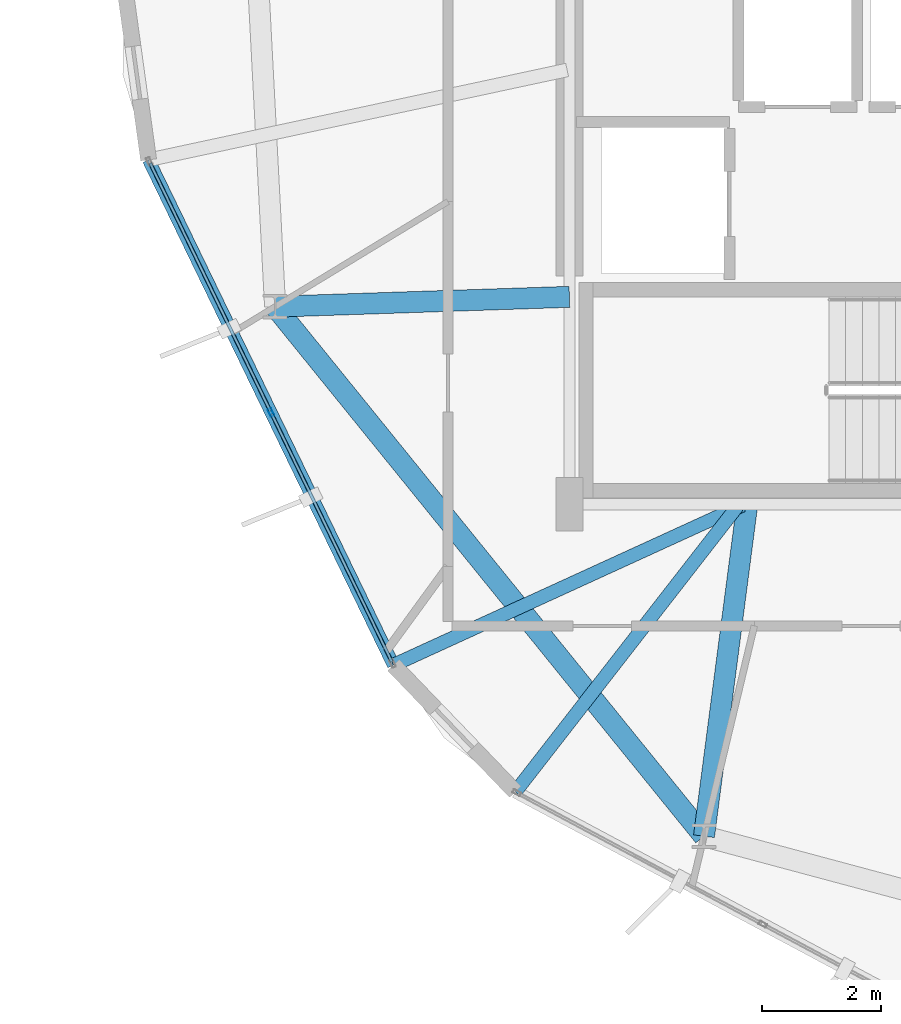
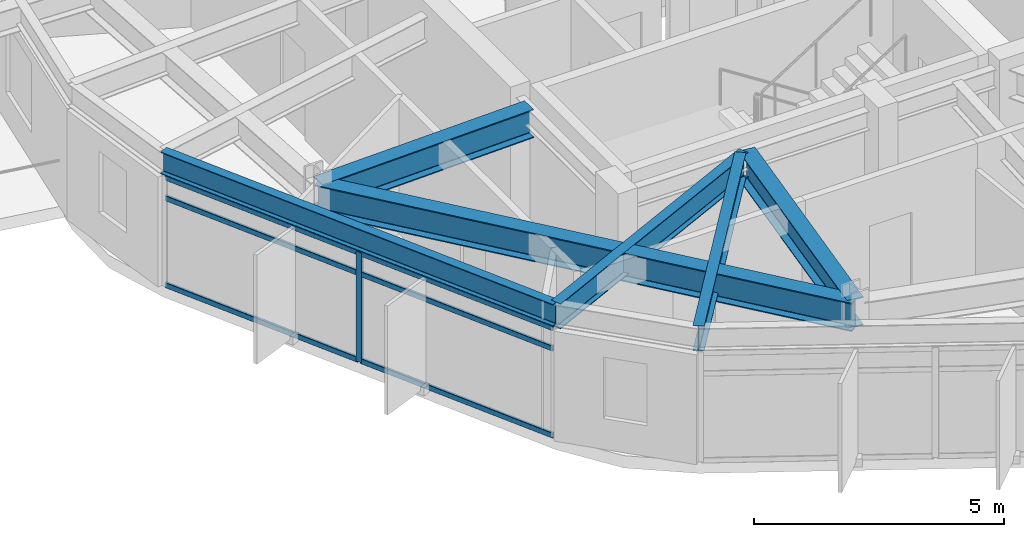
# One storey, part 3 of 26: 7 members, 6 beams, 1 element without a shape of its own.
"""IFC4 building model written with IfcOpenShell, lengths in metres."""

from ifc_helpers import new_model, si_unit, direction, frame, origin, origin_2d, place, context, subcontext, project, spatial, hollow_rectangle, i_section, extrude, material, layer, layer_set, material_profile, profile_set, type_object, element, aggregate, save


model = new_model("IFC4")

# Units and contexts
model_context = context("Model", 3, precision=1e-05, world=origin(), true_north=direction((0.0, 1.0)))
body_context = subcontext(model_context, "Body", "Model", "MODEL_VIEW")
ifc_project = project(units=[si_unit("LENGTHUNIT", "METRE"), si_unit("AREAUNIT", "SQUARE_METRE"), si_unit("VOLUMEUNIT", "CUBIC_METRE"), si_unit("PLANEANGLEUNIT", "RADIAN"), si_unit("MASSUNIT", "GRAM", prefix="KILO")], contexts=[model_context])

# Site, building, storey
site_placement = place(None, origin())
site = spatial("IfcSite", under=ifc_project, at=site_placement, CompositionType="ELEMENT")
building_placement = place(site_placement, origin())
building = spatial("IfcBuilding", under=site, at=building_placement, Name="Soratama Intermodal Tower", CompositionType="ELEMENT")
storey_placement = place(building_placement, frame((0.0, 0.0, 194.199951171875)))
storey = spatial("IfcBuildingStorey", under=building, at=storey_placement, Name="L48", CompositionType="ELEMENT", Elevation=194.199951171875)

# Beams
ifc_material_1 = material(Name="Structural steel ASTM A992 Grade 50", Category="steel")
ifc_material_profile_1 = material_profile(ifc_material_1, i_section(OverallWidth=0.35498046875, OverallDepth=0.695068359375, WebThickness=0.015380859375, FlangeThickness=0.02490234375, FilletRadius=0.01611328125, at=origin_2d()), Name="W27X146")
ifc_profile_set_1 = profile_set([ifc_material_profile_1], Name="Structural steel ASTM A992 Grade 50")
beam_type_1 = type_object("IfcBeamType", Name="BM-RING-W27X146", PredefinedType="BEAM", material=ifc_profile_set_1)
beam_1_placement = place(storey_placement, frame((27.635009765625, 18.333984375, 2.95263671875), z_axis=(0.629384551156, -0.777094001242, 0.0), x_axis=(0.777094001242, 0.629384551156, 0.0)))
element("IfcBeam", 1, at=beam_1_placement, inside=storey, type_object=beam_type_1, Name="BM-L48-RING-06", PredefinedType="BEAM", context=body_context, shape_type="SweptSolid", body=[
    extrude(i_section(OverallWidth=0.35498046875, OverallDepth=0.695068359375, WebThickness=0.015380859375, FlangeThickness=0.02490234375, FilletRadius=0.01611328125, at=origin_2d()), origin(), (0.0, 0.0, 1.0), 11.49560546875),
])
beam_2_placement = place(storey_placement, frame((32.60009765625, 18.5, 2.95263671875), z_axis=(-0.999441465401, -0.033417917907, 0.0), x_axis=(0.033417917907, -0.999441465401, 0.0)))
element("IfcBeam", 2, at=beam_2_placement, inside=storey, type_object=beam_type_1, Name="BM-L48-RAD-06", PredefinedType="BEAM", context=body_context, shape_type="SweptSolid", body=[
    extrude(i_section(OverallWidth=0.35498046875, OverallDepth=0.695068359375, WebThickness=0.015380859375, FlangeThickness=0.02490234375, FilletRadius=0.01611328125, at=origin_2d()), origin(), (0.0, 0.0, 1.0), 4.9677734375),
])
beam_3_placement = place(storey_placement, frame((35.60009765625, 15.0, 2.95263671875), z_axis=(-0.129280033694, -0.991608124658, 0.0), x_axis=(0.991608124658, -0.129280033694, 0.0)))
element("IfcBeam", 3, at=beam_3_placement, inside=storey, type_object=beam_type_1, Name="BM-L48-RAD-07", PredefinedType="BEAM", context=body_context, shape_type="SweptSolid", body=[
    extrude(i_section(OverallWidth=0.35498046875, OverallDepth=0.695068359375, WebThickness=0.015380859375, FlangeThickness=0.02490234375, FilletRadius=0.01611328125, at=origin_2d()), origin(), (0.0, 0.0, 1.0), 5.646484375),
])
ifc_material_2 = material(Name="Structural steel ASTM A992 Grade 50", Category="steel")
ifc_material_profile_2 = material_profile(ifc_material_2, i_section(OverallWidth=0.2099609375, OverallDepth=0.537109375, WebThickness=0.010986328125, FlangeThickness=0.017333984375, FilletRadius=0.012939453125, at=origin_2d()), Name="W21X68")
ifc_profile_set_2 = profile_set([ifc_material_profile_2], Name="Structural steel ASTM A992 Grade 50")
beam_type_2 = type_object("IfcBeamType", Name="BM-SPN-W21X68", PredefinedType="SPANDREL", material=ifc_profile_set_2)
beam_4_placement = place(storey_placement, frame((25.5, 20.81103515625, 3.031494140625), z_axis=(0.436167886037, -0.899865309471, 0.0), x_axis=(0.899865309471, 0.436167886037, 0.0)))
element("IfcBeam", 4, at=beam_4_placement, inside=storey, type_object=beam_type_2, Name="BS-L48-F05", PredefinedType="SPANDREL", context=body_context, shape_type="SweptSolid", body=[
    extrude(i_section(OverallWidth=0.2099609375, OverallDepth=0.537109375, WebThickness=0.010986328125, FlangeThickness=0.017333984375, FilletRadius=0.012939453125, at=origin_2d()), origin(), (0.0, 0.0, 1.0), 9.471435546875),
])
ifc_material_3 = material(Name="Structural steel ASTM A992 Grade 50", Category="steel")
ifc_material_profile_3 = material_profile(ifc_material_3, i_section(OverallWidth=0.22900390625, OverallDepth=0.612060546875, WebThickness=0.011962890625, FlangeThickness=0.01953125, FilletRadius=0.012939453125, at=origin_2d()), Name="W24X84")
ifc_profile_set_3 = profile_set([ifc_material_profile_3], Name="Structural steel ASTM A992 Grade 50")
beam_type_3 = type_object("IfcBeamType", Name="BM-TIE-W24X84", PredefinedType="BEAM", material=ifc_profile_set_3)
beam_5_placement = place(storey_placement, frame((35.52001953125, 14.98291015625, 2.994140625), z_axis=(-0.909313943081, -0.416110745978, 0.0), x_axis=(0.416110745978, -0.909313943081, 0.0)))
element("IfcBeam", 5, at=beam_5_placement, inside=storey, type_object=beam_type_3, Name="BM-L48-TIE1-05", PredefinedType="BEAM", context=body_context, shape_type="SweptSolid", body=[
    extrude(i_section(OverallWidth=0.22900390625, OverallDepth=0.612060546875, WebThickness=0.011962890625, FlangeThickness=0.01953125, FilletRadius=0.012939453125, at=origin_2d()), origin(), (0.0, 0.0, 1.0), 6.476318359375),
])
beam_6_placement = place(storey_placement, frame((35.43505859375, 14.968017578125, 2.994140625), z_axis=(-0.613926770722, -0.789362983799, 0.0), x_axis=(0.789362983799, -0.613926770722, 0.0)))
element("IfcBeam", 6, at=beam_6_placement, inside=storey, type_object=beam_type_3, Name="BM-L48-TIE0-06", PredefinedType="BEAM", context=body_context, shape_type="SweptSolid", body=[
    extrude(i_section(OverallWidth=0.22900390625, OverallDepth=0.612060546875, WebThickness=0.011962890625, FlangeThickness=0.01953125, FilletRadius=0.012939453125, at=origin_2d()), origin(), (0.0, 0.0, 1.0), 6.10498046875),
])

# Curtain wall, members
ifc_material_4 = material(Name="Double-glazed aluminium curtain wall", Category="aluminium")
ifc_layer = layer(ifc_material_4, 0.159912109375)
ifc_layer_set = layer_set([ifc_layer], Name="Double-glazed aluminium curtain wall")
curtain_wall_type = type_object("IfcCurtainWallType", Name="CW-SYS-5", PredefinedType="NOTDEFINED", material=ifc_layer_set)
curtain_wall_placement = place(storey_placement, origin())
curtain_wall = element("IfcCurtainWall", 7, at=curtain_wall_placement, inside=storey, type_object=curtain_wall_type, Name="L48 Faceted Curtain Wall F05", PredefinedType="NOTDEFINED")
ifc_material_5 = material(Name="Anodised aluminium AA 6063-T6", Category="aluminium")
ifc_material_profile_4 = material_profile(ifc_material_5, hollow_rectangle(XDim=0.06494140625, YDim=0.139892578125, WallThickness=0.0048828125, InnerFilletRadius=0.0048828125, OuterFilletRadius=0.010009765625, at=origin_2d()), Name="CWM140X65X5")
ifc_profile_set_4 = profile_set([ifc_material_profile_4], Name="Anodised aluminium AA 6063-T6")
member_type_1 = type_object("IfcMemberType", Name="MT-CWM-5", PredefinedType="MULLION", material=ifc_profile_set_4)
member_1_placement = place(storey_placement, frame((27.5654296875, 16.54931640625, 0.0), z_axis=(0.0, 0.0, 1.0), x_axis=(0.899866601949, 0.436165219496, 0.0)))
member_1 = element("IfcMember", 8, at=member_1_placement, type_object=member_type_1, Name="CW-5 mullion 2", PredefinedType="MULLION", context=body_context, shape_type="SweptSolid", body=[
    extrude(hollow_rectangle(XDim=0.06494140625, YDim=0.139892578125, WallThickness=0.0048828125, InnerFilletRadius=0.0048828125, OuterFilletRadius=0.010009765625, at=origin_2d()), origin(), (0.0, 0.0, 1.0), 2.678955078125),
])
ifc_material_6 = material(Name="Anodised aluminium AA 6063-T6", Category="aluminium")
ifc_material_profile_5 = material_profile(ifc_material_6, hollow_rectangle(XDim=0.06005859375, YDim=0.1298828125, WallThickness=0.0048828125, InnerFilletRadius=0.0048828125, OuterFilletRadius=0.010009765625, at=origin_2d()), Name="CWT130X60X5")
ifc_profile_set_5 = profile_set([ifc_material_profile_5], Name="Anodised aluminium AA 6063-T6")
member_type_2 = type_object("IfcMemberType", Name="TT-CWT-2", PredefinedType="USERDEFINED", material=ifc_profile_set_5)
member_2_placement = place(storey_placement, frame((25.526123046875, 20.756591796875, 0.030029296875), z_axis=(0.436206453732, -0.899846614553, 0.0), x_axis=(0.899846614553, 0.436206453732, 0.0)))
member_2 = element("IfcMember", 9, at=member_2_placement, type_object=member_type_2, Name="CW-5 transom 1.1", ObjectType="TRANSOM", PredefinedType="USERDEFINED", context=body_context, shape_type="SweptSolid", body=[
    extrude(hollow_rectangle(XDim=0.06005859375, YDim=0.1298828125, WallThickness=0.0048828125, InnerFilletRadius=0.0048828125, OuterFilletRadius=0.010009765625, at=origin_2d()), origin(), (0.0, 0.0, 1.0), 4.6455078125),
])
member_3_placement = place(storey_placement, frame((25.526123046875, 20.756591796875, 2.150146484375), z_axis=(0.436206453732, -0.899846614553, 0.0), x_axis=(0.899846614553, 0.436206453732, 0.0)))
member_3 = element("IfcMember", 10, at=member_3_placement, type_object=member_type_2, Name="CW-5 transom 1.2", ObjectType="TRANSOM", PredefinedType="USERDEFINED", context=body_context, shape_type="SweptSolid", body=[
    extrude(hollow_rectangle(XDim=0.06005859375, YDim=0.1298828125, WallThickness=0.0048828125, InnerFilletRadius=0.0048828125, OuterFilletRadius=0.010009765625, at=origin_2d()), origin(), (0.0, 0.0, 1.0), 4.6455078125),
])
member_4_placement = place(storey_placement, frame((25.526123046875, 20.756591796875, 2.649169921875), z_axis=(0.436206453732, -0.899846614553, 0.0), x_axis=(0.899846614553, 0.436206453732, 0.0)))
member_4 = element("IfcMember", 11, at=member_4_placement, type_object=member_type_2, Name="CW-5 transom 1.3", ObjectType="TRANSOM", PredefinedType="USERDEFINED", context=body_context, shape_type="SweptSolid", body=[
    extrude(hollow_rectangle(XDim=0.06005859375, YDim=0.1298828125, WallThickness=0.0048828125, InnerFilletRadius=0.0048828125, OuterFilletRadius=0.010009765625, at=origin_2d()), origin(), (0.0, 0.0, 1.0), 4.6455078125),
])
member_5_placement = place(storey_placement, frame((27.57861328125, 16.522216796875, 0.030029296875), z_axis=(0.436143270331, -0.899877240375, 0.0), x_axis=(0.899877240375, 0.436143270331, 0.0)))
member_5 = element("IfcMember", 12, at=member_5_placement, type_object=member_type_2, Name="CW-5 transom 2.1", ObjectType="TRANSOM", PredefinedType="USERDEFINED", context=body_context, shape_type="SweptSolid", body=[
    extrude(hollow_rectangle(XDim=0.06005859375, YDim=0.1298828125, WallThickness=0.0048828125, InnerFilletRadius=0.0048828125, OuterFilletRadius=0.010009765625, at=origin_2d()), origin(), (0.0, 0.0, 1.0), 4.6455078125),
])
member_6_placement = place(storey_placement, frame((27.57861328125, 16.522216796875, 2.150146484375), z_axis=(0.436143270331, -0.899877240375, 0.0), x_axis=(0.899877240375, 0.436143270331, 0.0)))
member_6 = element("IfcMember", 13, at=member_6_placement, type_object=member_type_2, Name="CW-5 transom 2.2", ObjectType="TRANSOM", PredefinedType="USERDEFINED", context=body_context, shape_type="SweptSolid", body=[
    extrude(hollow_rectangle(XDim=0.06005859375, YDim=0.1298828125, WallThickness=0.0048828125, InnerFilletRadius=0.0048828125, OuterFilletRadius=0.010009765625, at=origin_2d()), origin(), (0.0, 0.0, 1.0), 4.6455078125),
])
member_7_placement = place(storey_placement, frame((27.57861328125, 16.522216796875, 2.649169921875), z_axis=(0.436143270331, -0.899877240375, 0.0), x_axis=(0.899877240375, 0.436143270331, 0.0)))
member_7 = element("IfcMember", 14, at=member_7_placement, type_object=member_type_2, Name="CW-5 transom 2.3", ObjectType="TRANSOM", PredefinedType="USERDEFINED", context=body_context, shape_type="SweptSolid", body=[
    extrude(hollow_rectangle(XDim=0.06005859375, YDim=0.1298828125, WallThickness=0.0048828125, InnerFilletRadius=0.0048828125, OuterFilletRadius=0.010009765625, at=origin_2d()), origin(), (0.0, 0.0, 1.0), 4.6455078125),
])
aggregate(curtain_wall, [member_1, member_2, member_3, member_4, member_5, member_6, member_7])

save(model, "model.ifc")
